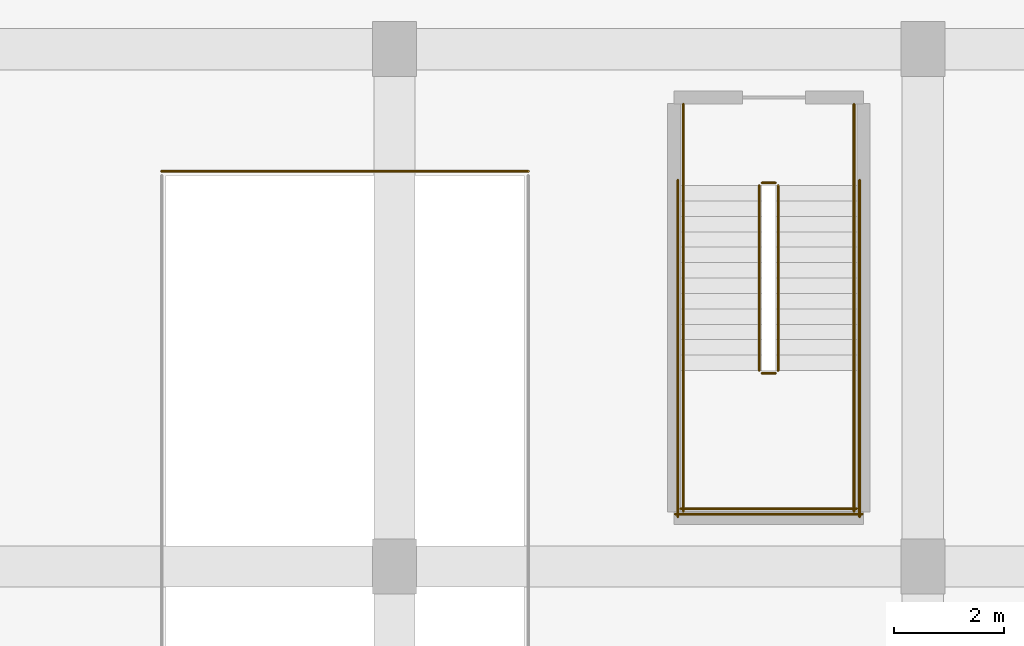
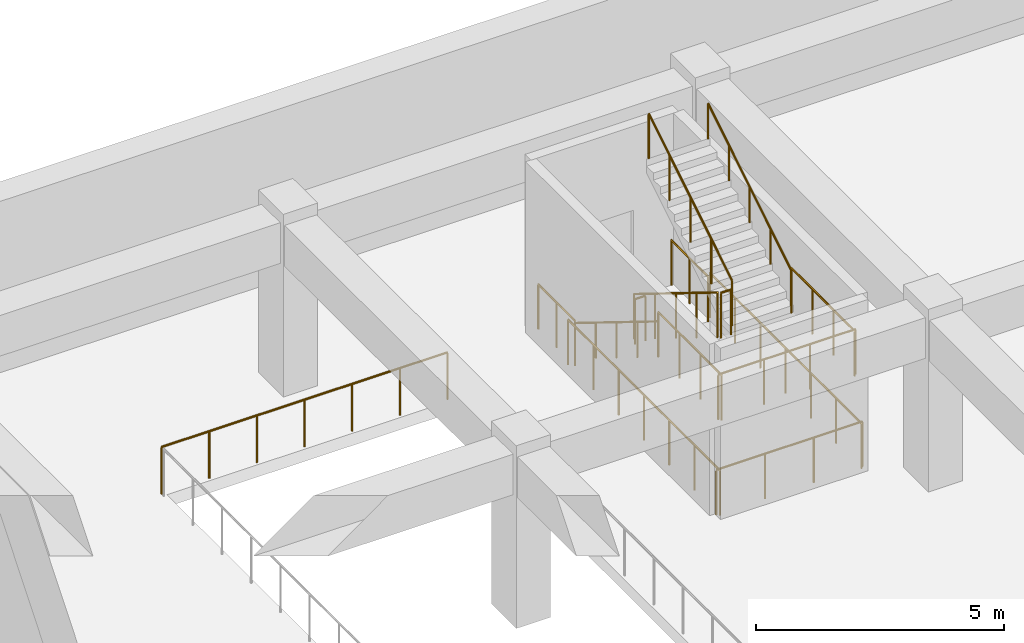
# One storey, part 7 of 9: 15 railings.
"""IFC4 building model written with IfcOpenShell, lengths in metres."""

from ifc_helpers import new_model, si_unit, direction, frame, origin, origin_2d, place, context, subcontext, project, spatial, circle, extrude, material, layer, layer_set, type_object, element, save


model = new_model("IFC4")

# Units and contexts
model_context = context("Model", 3, precision=1e-05, world=origin(), true_north=direction((0.0, 1.0)))
body_context = subcontext(model_context, "Body", "Model", "MODEL_VIEW")
ifc_project = project(units=[si_unit("LENGTHUNIT", "METRE"), si_unit("AREAUNIT", "SQUARE_METRE"), si_unit("VOLUMEUNIT", "CUBIC_METRE"), si_unit("PLANEANGLEUNIT", "RADIAN"), si_unit("MASSUNIT", "GRAM", prefix="KILO")], contexts=[model_context])

# Site, building, storey
site_placement = place(None, origin())
site = spatial("IfcSite", under=ifc_project, at=site_placement, CompositionType="ELEMENT")
building_placement = place(site_placement, origin())
building = spatial("IfcBuilding", under=site, at=building_placement, Name="Ndelora Gate Hotel", CompositionType="ELEMENT")
storey_placement = place(building_placement, frame((0.0, 0.0, -4.5)))
storey = spatial("IfcBuildingStorey", under=building, at=storey_placement, Name="B01", CompositionType="ELEMENT", Elevation=-4.5)

# Railings
ifc_material_1 = material(Name="Galvanized Crash-Rated Steel Guardrail", Category="steel")
ifc_layer_1 = layer(ifc_material_1, 0.080078125)
ifc_layer_set_1 = layer_set([ifc_layer_1], Name="Galvanized Crash-Rated Steel Guardrail")
railing_type_1 = type_object("IfcRailingType", Name="RL-RAMP-GD", PredefinedType="GUARDRAIL", material=ifc_layer_set_1)
railing_1_placement = place(storey_placement, frame((-34.6298828125, 16.580078125, 0.0)))
element("IfcRailing", 1, at=railing_1_placement, inside=storey, type_object=railing_type_1, Name="B01 Ramp R2 Well End Deck Guardrail", PredefinedType="GUARDRAIL", context=body_context, shape_type="SweptSolid", body=[
    extrude(circle(Radius=0.02392578125, at=origin_2d()), frame((0.0, 0.0, 1.15576171875), z_axis=(1.0, 0.0, 0.0), x_axis=(0.0, 1.0, 0.0)), (0.0, 0.0, 1.0), 6.659912109375),
    extrude(circle(Radius=0.02099609375, at=origin_2d()), origin(), (0.0, 0.0, 1.0), 1.1318359375),
    extrude(circle(Radius=0.02099609375, at=origin_2d()), frame((1.10986328125, 0.0, 0.0)), (0.0, 0.0, 1.0), 1.1318359375),
    extrude(circle(Radius=0.02099609375, at=origin_2d()), frame((2.219970703125, 0.0, 0.0)), (0.0, 0.0, 1.0), 1.1318359375),
    extrude(circle(Radius=0.02099609375, at=origin_2d()), frame((3.330078125, 0.0, 0.0)), (0.0, 0.0, 1.0), 1.1318359375),
    extrude(circle(Radius=0.02099609375, at=origin_2d()), frame((4.43994140625, 0.0, 0.0)), (0.0, 0.0, 1.0), 1.1318359375),
    extrude(circle(Radius=0.02099609375, at=origin_2d()), frame((5.5498046875, 0.0, 0.0)), (0.0, 0.0, 1.0), 1.1318359375),
    extrude(circle(Radius=0.02099609375, at=origin_2d()), frame((6.659912109375, 0.0, 0.0)), (0.0, 0.0, 1.0), 1.1318359375),
])
ifc_material_2 = material(Name="Painted Galvanized Steel Balustrade", Category="steel")
ifc_layer_2 = layer(ifc_material_2, 0.06005859375)
ifc_layer_set_2 = layer_set([ifc_layer_2], Name="Painted Galvanized Steel Balustrade")
railing_type_2 = type_object("IfcRailingType", Name="RL-STAIR-GD", PredefinedType="GUARDRAIL", material=ifc_layer_set_2)
railing_2_placement = place(storey_placement, frame((-23.77001953125, 16.320068359375, 0.173095703125)))
element("IfcRailing", 2, at=railing_2_placement, inside=storey, type_object=railing_type_2, Name="B01 ST1 stair guard 1", PredefinedType="GUARDRAIL", context=body_context, shape_type="SweptSolid", body=[
    extrude(circle(Radius=0.02392578125, at=origin_2d()), frame((0.0, 0.0, 1.10595703125), z_axis=(0.0, -0.850623216509, 0.525775754039), x_axis=(1.0, 0.0, 0.0)), (0.0, 0.0, 1.0), 3.9501953125),
    extrude(circle(Radius=0.02099609375, at=origin_2d()), origin(), (0.0, 0.0, 1.0), 1.081787109375),
    extrude(circle(Radius=0.02099609375, at=origin_2d()), frame((0.0, -0.840087890625, 0.519287109375)), (0.0, 0.0, 1.0), 1.081787109375),
    extrude(circle(Radius=0.02099609375, at=origin_2d()), frame((0.0, -1.68017578125, 1.03857421875)), (0.0, 0.0, 1.0), 1.081787109375),
    extrude(circle(Radius=0.02099609375, at=origin_2d()), frame((0.0, -2.52001953125, 1.5576171875)), (0.0, 0.0, 1.0), 1.081787109375),
    extrude(circle(Radius=0.02099609375, at=origin_2d()), frame((0.0, -3.360107421875, 2.076904296875)), (0.0, 0.0, 1.0), 1.081787109375),
])
railing_3_placement = place(storey_placement, frame((-23.719970703125, 12.909912109375, 2.25)))
element("IfcRailing", 3, at=railing_3_placement, inside=storey, type_object=railing_type_2, Name="B01 ST1 stair guard 2", PredefinedType="GUARDRAIL", context=body_context, shape_type="SweptSolid", body=[
    extrude(circle(Radius=0.02392578125, at=origin_2d()), frame((0.0, 0.0, 1.10595703125), z_axis=(1.0, 0.0, 0.0), x_axis=(0.0, 1.0, 0.0)), (0.0, 0.0, 1.0), 0.239990234375),
    extrude(circle(Radius=0.02099609375, at=origin_2d()), origin(), (0.0, 0.0, 1.0), 1.081787109375),
    extrude(circle(Radius=0.02099609375, at=origin_2d()), frame((0.239990234375, 0.0, 0.0)), (0.0, 0.0, 1.0), 1.081787109375),
])
for number, where, name in (
    (4, (-25.14990234375, 12.9599609375, 2.25), "B01 ST1 stair guard 3"),
    (5, (-22.050048828125, 12.9599609375, 2.25), "B01 ST1 stair guard 4"),
):
    element("IfcRailing", number, at=place(storey_placement, frame(where)), inside=storey, type_object=railing_type_2, Name=name, PredefinedType="GUARDRAIL", context=body_context, shape_type="SweptSolid", body=[
        extrude(circle(Radius=0.02392578125, at=origin_2d()), frame((0.0, 0.0, 1.10595703125), z_axis=(0.0, -1.0, 0.0), x_axis=(1.0, 0.0, 0.0)), (0.0, 0.0, 1.0), 2.56005859375),
        extrude(circle(Radius=0.02099609375, at=origin_2d()), origin(), (0.0, 0.0, 1.0), 1.081787109375),
        extrude(circle(Radius=0.02099609375, at=origin_2d()), frame((0.0, -0.853271484375, 0.0)), (0.0, 0.0, 1.0), 1.081787109375),
        extrude(circle(Radius=0.02099609375, at=origin_2d()), frame((0.0, -1.706787109375, 0.0)), (0.0, 0.0, 1.0), 1.081787109375),
        extrude(circle(Radius=0.02099609375, at=origin_2d()), frame((0.0, -2.56005859375, 0.0)), (0.0, 0.0, 1.0), 1.081787109375),
    ])
railing_4_placement = place(storey_placement, frame((-25.199951171875, 10.449951171875, 2.25)))
element("IfcRailing", 6, at=railing_4_placement, inside=storey, type_object=railing_type_2, Name="B01 ST1 stair guard 5", PredefinedType="GUARDRAIL", context=body_context, shape_type="SweptSolid", body=[
    extrude(circle(Radius=0.02392578125, at=origin_2d()), frame((0.0, 0.0, 1.10595703125), z_axis=(1.0, 0.0, 0.0), x_axis=(0.0, 1.0, 0.0)), (0.0, 0.0, 1.0), 3.199951171875),
    extrude(circle(Radius=0.02099609375, at=origin_2d()), origin(), (0.0, 0.0, 1.0), 1.081787109375),
    extrude(circle(Radius=0.02099609375, at=origin_2d()), frame((1.066650390625, 0.0, 0.0)), (0.0, 0.0, 1.0), 1.081787109375),
    extrude(circle(Radius=0.02099609375, at=origin_2d()), frame((2.13330078125, 0.0, 0.0)), (0.0, 0.0, 1.0), 1.081787109375),
    extrude(circle(Radius=0.02099609375, at=origin_2d()), frame((3.199951171875, 0.0, 0.0)), (0.0, 0.0, 1.0), 1.081787109375),
])
railing_5_placement = place(storey_placement, frame((-23.429931640625, 12.9599609375, 2.423095703125)))
element("IfcRailing", 7, at=railing_5_placement, inside=storey, type_object=railing_type_2, Name="B01 ST1 stair guard 6", PredefinedType="GUARDRAIL", context=body_context, shape_type="SweptSolid", body=[
    extrude(circle(Radius=0.02392578125, at=origin_2d()), frame((0.0, 0.0, 1.10595703125), z_axis=(0.0, 0.850623216509, 0.525775754039), x_axis=(-1.0, 0.0, 0.0)), (0.0, 0.0, 1.0), 3.9501953125),
    extrude(circle(Radius=0.02099609375, at=origin_2d()), origin(), (0.0, 0.0, 1.0), 1.081787109375),
    extrude(circle(Radius=0.02099609375, at=origin_2d()), frame((0.0, 0.840087890625, 0.519287109375)), (0.0, 0.0, 1.0), 1.081787109375),
    extrude(circle(Radius=0.02099609375, at=origin_2d()), frame((0.0, 1.68017578125, 1.03857421875)), (0.0, 0.0, 1.0), 1.081787109375),
    extrude(circle(Radius=0.02099609375, at=origin_2d()), frame((0.0, 2.52001953125, 1.5576171875)), (0.0, 0.0, 1.0), 1.081787109375),
    extrude(circle(Radius=0.02099609375, at=origin_2d()), frame((0.0, 3.360107421875, 2.076904296875)), (0.0, 0.0, 1.0), 1.081787109375),
])
railing_6_placement = place(storey_placement, frame((-23.719970703125, 16.3701171875, 0.0)))
element("IfcRailing", 8, at=railing_6_placement, inside=storey, type_object=railing_type_2, Name="B01 ST1 stair guard 7", PredefinedType="GUARDRAIL", context=body_context, shape_type="SweptSolid", body=[
    extrude(circle(Radius=0.02392578125, at=origin_2d()), frame((0.0, 0.0, 1.10595703125), z_axis=(1.0, 0.0, 0.0), x_axis=(0.0, 1.0, 0.0)), (0.0, 0.0, 1.0), 0.239990234375),
    extrude(circle(Radius=0.02099609375, at=origin_2d()), origin(), (0.0, 0.0, 1.0), 1.081787109375),
    extrude(circle(Radius=0.02099609375, at=origin_2d()), frame((0.239990234375, 0.0, 0.0)), (0.0, 0.0, 1.0), 1.081787109375),
])
for number, where, name in (
    (9, (-25.14990234375, 17.800048828125, 0.0), "B01 ST1 stair guard 8"),
    (10, (-22.050048828125, 17.800048828125, 0.0), "B01 ST1 stair guard 9"),
):
    element("IfcRailing", number, at=place(storey_placement, frame(where)), inside=storey, type_object=railing_type_2, Name=name, PredefinedType="GUARDRAIL", context=body_context, shape_type="SweptSolid", body=[
        extrude(circle(Radius=0.02392578125, at=origin_2d()), frame((0.0, 0.0, 1.10595703125), z_axis=(0.0, -1.0, 0.0), x_axis=(1.0, 0.0, 0.0)), (0.0, 0.0, 1.0), 1.47998046875),
        extrude(circle(Radius=0.02099609375, at=origin_2d()), origin(), (0.0, 0.0, 1.0), 1.081787109375),
        extrude(circle(Radius=0.02099609375, at=origin_2d()), frame((0.0, -0.739990234375, 0.0)), (0.0, 0.0, 1.0), 1.081787109375),
        extrude(circle(Radius=0.02099609375, at=origin_2d()), frame((0.0, -1.47998046875, 0.0)), (0.0, 0.0, 1.0), 1.081787109375),
    ])
for number, where, name in (
    (11, (-25.25, 16.419921875, 0.0), "B01 ST1 stair guard 10"),
    (12, (-21.949951171875, 16.419921875, 0.0), "B01 ST1 stair guard 11"),
):
    element("IfcRailing", number, at=place(storey_placement, frame(where)), inside=storey, type_object=railing_type_2, Name=name, PredefinedType="GUARDRAIL", context=body_context, shape_type="SweptSolid", body=[
        extrude(circle(Radius=0.02392578125, at=origin_2d()), frame((0.0, 0.0, 1.10595703125), z_axis=(0.0, -1.0, 0.0), x_axis=(1.0, 0.0, 0.0)), (0.0, 0.0, 1.0), 6.119873046875),
        extrude(circle(Radius=0.02099609375, at=origin_2d()), origin(), (0.0, 0.0, 1.0), 1.081787109375),
        extrude(circle(Radius=0.02099609375, at=origin_2d()), frame((0.0, -1.02001953125, 0.0)), (0.0, 0.0, 1.0), 1.081787109375),
        extrude(circle(Radius=0.02099609375, at=origin_2d()), frame((0.0, -2.0400390625, 0.0)), (0.0, 0.0, 1.0), 1.081787109375),
        extrude(circle(Radius=0.02099609375, at=origin_2d()), frame((0.0, -3.06005859375, 0.0)), (0.0, 0.0, 1.0), 1.081787109375),
        extrude(circle(Radius=0.02099609375, at=origin_2d()), frame((0.0, -4.079833984375, 0.0)), (0.0, 0.0, 1.0), 1.081787109375),
        extrude(circle(Radius=0.02099609375, at=origin_2d()), frame((0.0, -5.099853515625, 0.0)), (0.0, 0.0, 1.0), 1.081787109375),
        extrude(circle(Radius=0.02099609375, at=origin_2d()), frame((0.0, -6.119873046875, 0.0)), (0.0, 0.0, 1.0), 1.081787109375),
    ])
railing_7_placement = place(storey_placement, frame((-25.300048828125, 10.35009765625, 0.0)))
element("IfcRailing", 13, at=railing_7_placement, inside=storey, type_object=railing_type_2, Name="B01 ST1 stair guard 12", PredefinedType="GUARDRAIL", context=body_context, shape_type="SweptSolid", body=[
    extrude(circle(Radius=0.02392578125, at=origin_2d()), frame((0.0, 0.0, 1.10595703125), z_axis=(1.0, 0.0, 0.0), x_axis=(0.0, 1.0, 0.0)), (0.0, 0.0, 1.0), 3.400146484375),
    extrude(circle(Radius=0.02099609375, at=origin_2d()), origin(), (0.0, 0.0, 1.0), 1.081787109375),
    extrude(circle(Radius=0.02099609375, at=origin_2d()), frame((1.13330078125, 0.0, 0.0)), (0.0, 0.0, 1.0), 1.081787109375),
    extrude(circle(Radius=0.02099609375, at=origin_2d()), frame((2.266845703125, 0.0, 0.0)), (0.0, 0.0, 1.0), 1.081787109375),
    extrude(circle(Radius=0.02099609375, at=origin_2d()), frame((3.400146484375, 0.0, 0.0)), (0.0, 0.0, 1.0), 1.081787109375),
])
ifc_material_3 = material(Name="Brushed Stainless Steel 316", Category="steel")
ifc_layer_3 = layer(ifc_material_3, 0.050048828125)
ifc_layer_set_3 = layer_set([ifc_layer_3], Name="Brushed Stainless Steel 316")
railing_type_3 = type_object("IfcRailingType", Name="RL-STAIR-HR", PredefinedType="HANDRAIL", material=ifc_layer_set_3)
railing_8_placement = place(storey_placement, frame((-25.14990234375, 16.320068359375, 0.173095703125)))
element("IfcRailing", 14, at=railing_8_placement, inside=storey, type_object=railing_type_3, Name="B01 ST1 stair handrail 1", PredefinedType="HANDRAIL", context=body_context, shape_type="SweptSolid", body=[
    extrude(circle(Radius=0.02392578125, at=origin_2d()), frame((0.0, 0.0, 0.8759765625), z_axis=(0.0, -0.850623216509, 0.525775754039), x_axis=(1.0, 0.0, 0.0)), (0.0, 0.0, 1.0), 3.9501953125),
    extrude(circle(Radius=0.02099609375, at=origin_2d()), origin(), (0.0, 0.0, 1.0), 0.851806640625),
    extrude(circle(Radius=0.02099609375, at=origin_2d()), frame((0.0, -0.840087890625, 0.519287109375)), (0.0, 0.0, 1.0), 0.851806640625),
    extrude(circle(Radius=0.02099609375, at=origin_2d()), frame((0.0, -1.68017578125, 1.03857421875)), (0.0, 0.0, 1.0), 0.851806640625),
    extrude(circle(Radius=0.02099609375, at=origin_2d()), frame((0.0, -2.52001953125, 1.5576171875)), (0.0, 0.0, 1.0), 0.851806640625),
    extrude(circle(Radius=0.02099609375, at=origin_2d()), frame((0.0, -3.360107421875, 2.076904296875)), (0.0, 0.0, 1.0), 0.851806640625),
])
railing_9_placement = place(storey_placement, frame((-22.050048828125, 12.9599609375, 2.423095703125)))
element("IfcRailing", 15, at=railing_9_placement, inside=storey, type_object=railing_type_3, Name="B01 ST1 stair handrail 2", PredefinedType="HANDRAIL", context=body_context, shape_type="SweptSolid", body=[
    extrude(circle(Radius=0.02392578125, at=origin_2d()), frame((0.0, 0.0, 0.8759765625), z_axis=(0.0, 0.850623216509, 0.525775754039), x_axis=(-1.0, 0.0, 0.0)), (0.0, 0.0, 1.0), 3.9501953125),
    extrude(circle(Radius=0.02099609375, at=origin_2d()), origin(), (0.0, 0.0, 1.0), 0.851806640625),
    extrude(circle(Radius=0.02099609375, at=origin_2d()), frame((0.0, 0.840087890625, 0.519287109375)), (0.0, 0.0, 1.0), 0.851806640625),
    extrude(circle(Radius=0.02099609375, at=origin_2d()), frame((0.0, 1.68017578125, 1.03857421875)), (0.0, 0.0, 1.0), 0.851806640625),
    extrude(circle(Radius=0.02099609375, at=origin_2d()), frame((0.0, 2.52001953125, 1.5576171875)), (0.0, 0.0, 1.0), 0.851806640625),
    extrude(circle(Radius=0.02099609375, at=origin_2d()), frame((0.0, 3.360107421875, 2.076904296875)), (0.0, 0.0, 1.0), 0.851806640625),
])

save(model, "model.ifc")
